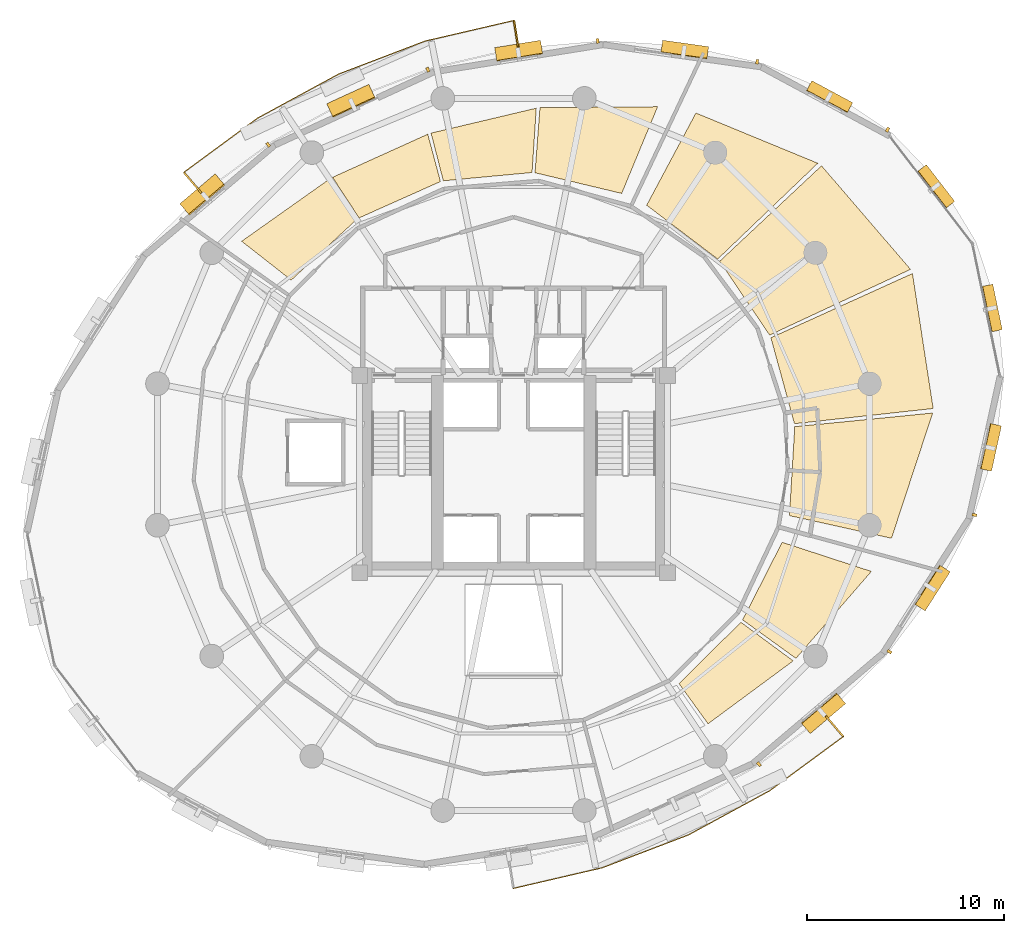
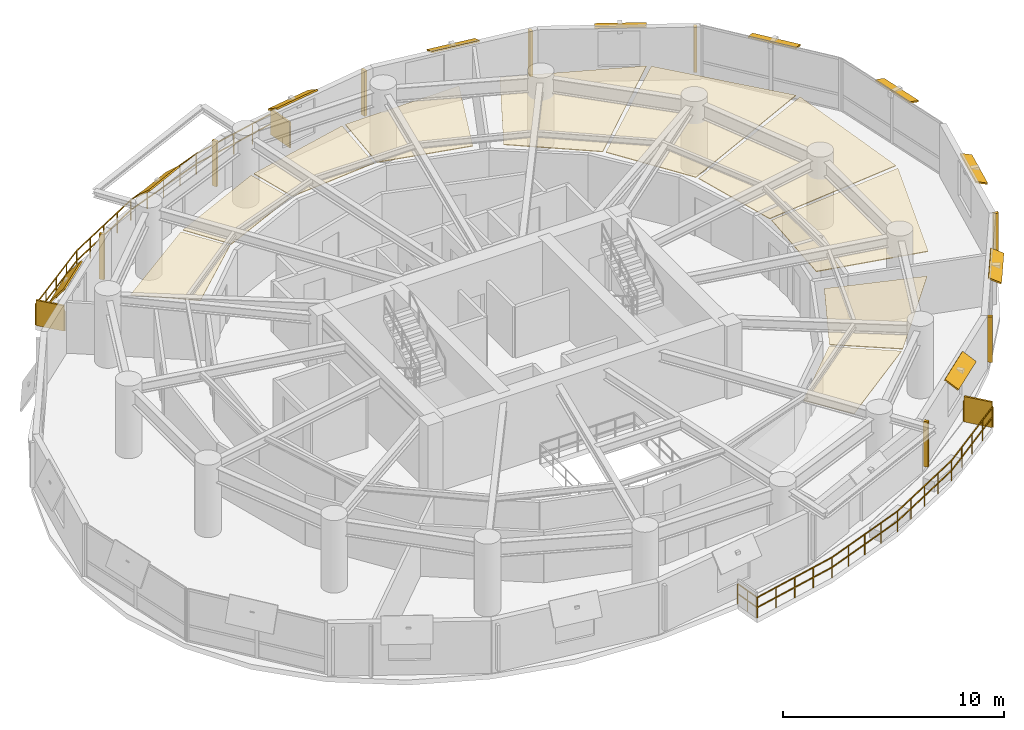
# One storey, part 14 of 14: 21 shading devices, 10 coverings, 2 railings.
"""IFC4 building model written with IfcOpenShell, lengths in metres."""

from ifc_helpers import new_model, si_unit, direction, frame, origin, origin_2d, place, context, subcontext, project, spatial, polyline, rectangle, outline, extrude, material, layer, layer_set, type_object, element, save


model = new_model("IFC4")

# Units and contexts
model_context = context("Model", 3, precision=1e-05, world=origin(), true_north=direction((0.0, 1.0)))
body_context = subcontext(model_context, "Body", "Model", "MODEL_VIEW")
ifc_project = project(units=[si_unit("LENGTHUNIT", "METRE"), si_unit("AREAUNIT", "SQUARE_METRE"), si_unit("VOLUMEUNIT", "CUBIC_METRE"), si_unit("PLANEANGLEUNIT", "RADIAN"), si_unit("MASSUNIT", "GRAM", prefix="KILO"), si_unit("THERMODYNAMICTEMPERATUREUNIT", "KELVIN"), si_unit("POWERUNIT", "WATT")], contexts=[model_context])

# Site, building, storey
site_placement = place(None, origin())
site = spatial("IfcSite", under=ifc_project, at=site_placement, CompositionType="ELEMENT")
building_placement = place(site_placement, origin())
building = spatial("IfcBuilding", under=site, at=building_placement, Name="Ocrelia Relay Tower", CompositionType="ELEMENT")
storey_placement = place(building_placement, frame((0.0, 0.0, 137.800048828125)))
storey = spatial("IfcBuildingStorey", under=building, at=storey_placement, Name="L32", CompositionType="ELEMENT", Elevation=137.800048828125)

# Coverings
ifc_material_1 = material(Name="Mineral-fiber acoustic ceiling tile", Category="gypsum")
ifc_layer_1 = layer(ifc_material_1, 0.0400390625, Name="Mineral-fiber acoustic ceiling tile")
ifc_layer_set_1 = layer_set([ifc_layer_1], Name="Mineral-fiber acoustic ceiling tile")
covering_type_1 = type_object("IfcCoveringType", Name="COV-CEIL-ACOUSTIC", PredefinedType="CEILING", material=ifc_layer_set_1)
covering_1_placement = place(storey_placement, frame((0.0, 0.0, 2.719970703125)))
element("IfcCovering", 1, at=covering_1_placement, inside=storey, type_object=covering_type_1, Name="L32 Shift Staff Lounge Suspended Ceiling 1", PredefinedType="CEILING", context=body_context, shape_type="SweptSolid", body=[
    extrude(outline(polyline([(47.980712890625, 22.900634765625), (53.15380859375, 21.753662109375), (55.2412109375, 28.101318359375), (48.25048828125, 27.409912109375), (47.980712890625, 22.900634765625)])), origin(), (0.0, 0.0, 1.0), 0.0400390625),
])
covering_2_placement = place(storey_placement, frame((0.0, 0.0, 2.719970703125)))
element("IfcCovering", 2, at=covering_2_placement, inside=storey, type_object=covering_type_1, Name="L32 Shift Staff Lounge Suspended Ceiling 2", PredefinedType="CEILING", context=body_context, shape_type="SweptSolid", body=[
    extrude(outline(polyline([(48.23486328125, 27.55908203125), (55.26611328125, 28.3291015625), (54.217041015625, 35.1708984375), (47.041015625, 31.915771484375), (48.23486328125, 27.55908203125)])), origin(), (0.0, 0.0, 1.0), 0.0400390625),
])
covering_3_placement = place(storey_placement, frame((0.0, 0.0, 2.719970703125)))
element("IfcCovering", 3, at=covering_3_placement, inside=storey, type_object=covering_type_1, Name="L32 Shift Staff Lounge Suspended Ceiling 3", PredefinedType="CEILING", context=body_context, shape_type="SweptSolid", body=[
    extrude(outline(polyline([(46.978271484375, 32.052001953125), (54.119873046875, 35.382080078125), (49.60791015625, 40.631103515625), (44.447509765625, 35.793701171875), (46.978271484375, 32.052001953125)])), origin(), (0.0, 0.0, 1.0), 0.0400390625),
])
covering_4_placement = place(storey_placement, frame((0.0, 0.0, 2.719970703125)))
element("IfcCovering", 4, at=covering_4_placement, inside=storey, type_object=covering_type_1, Name="L32 Shift Staff Lounge Suspended Ceiling 4", PredefinedType="CEILING", context=body_context, shape_type="SweptSolid", body=[
    extrude(outline(polyline([(44.34423828125, 35.902587890625), (49.418701171875, 40.76025390625), (43.24072265625, 43.306396484375), (40.744873046875, 38.632080078125), (44.34423828125, 35.902587890625)])), origin(), (0.0, 0.0, 1.0), 0.0400390625),
])
ifc_material_2 = material(Name="Cleanroom metal-pan acoustic ceiling", Category="aluminium")
ifc_layer_2 = layer(ifc_material_2, 0.0400390625, Name="Cleanroom metal-pan acoustic ceiling")
ifc_layer_set_2 = layer_set([ifc_layer_2], Name="Cleanroom metal-pan acoustic ceiling")
covering_type_2 = type_object("IfcCoveringType", Name="COV-CEIL-CLEAN", PredefinedType="CEILING", material=ifc_layer_set_2)
covering_5_placement = place(storey_placement, frame((0.0, 0.0, 2.719970703125)))
element("IfcCovering", 5, at=covering_5_placement, inside=storey, type_object=covering_type_2, Name="L32 Optical Switching Hall A Suspended Ceiling 1", PredefinedType="CEILING", context=body_context, shape_type="SweptSolid", body=[
    extrude(outline(polyline([(39.47998046875, 39.22998046875), (41.300537109375, 43.625244140625), (35.3369140625, 43.57568359375), (35.086181640625, 40.27880859375), (39.47998046875, 39.22998046875)])), origin(), (0.0, 0.0, 1.0), 0.0400390625),
])
covering_6_placement = place(storey_placement, frame((0.0, 0.0, 2.719970703125)))
element("IfcCovering", 6, at=covering_6_placement, inside=storey, type_object=covering_type_2, Name="L32 Optical Switching Hall A Suspended Ceiling 2", PredefinedType="CEILING", context=body_context, shape_type="SweptSolid", body=[
    extrude(outline(polyline([(34.9365234375, 40.289306640625), (35.150390625, 43.55126953125), (29.81787109375, 42.288818359375), (30.438720703125, 39.8701171875), (34.9365234375, 40.289306640625)])), origin(), (0.0, 0.0, 1.0), 0.0400390625),
])
covering_7_placement = place(storey_placement, frame((0.0, 0.0, 2.719970703125)))
element("IfcCovering", 7, at=covering_7_placement, inside=storey, type_object=covering_type_2, Name="L32 Optical Switching Hall A Suspended Ceiling 3", PredefinedType="CEILING", context=body_context, shape_type="SweptSolid", body=[
    extrude(outline(polyline([(30.293701171875, 39.83203125), (29.65087890625, 42.231201171875), (24.82470703125, 40.0478515625), (26.16943359375, 37.9892578125), (30.293701171875, 39.83203125)])), origin(), (0.0, 0.0, 1.0), 0.0400390625),
])
covering_8_placement = place(storey_placement, frame((0.0, 0.0, 2.719970703125)))
element("IfcCovering", 8, at=covering_8_placement, inside=storey, type_object=covering_type_2, Name="L32 Optical Switching Hall A Suspended Ceiling 4", PredefinedType="CEILING", context=body_context, shape_type="SweptSolid", body=[
    extrude(outline(polyline([(26.044189453125, 37.906494140625), (24.671630859375, 39.960693359375), (20.21826171875, 36.80615234375), (22.731201171875, 34.8359375), (26.044189453125, 37.906494140625)])), origin(), (0.0, 0.0, 1.0), 0.0400390625),
])
covering_9_placement = place(storey_placement, frame((0.0, 0.0, 2.719970703125)))
element("IfcCovering", 9, at=covering_9_placement, inside=storey, type_object=covering_type_2, Name="L32 Optical Systems Laboratory Suspended Ceiling 2", PredefinedType="CEILING", context=body_context, shape_type="SweptSolid", body=[
    extrude(outline(polyline([(42.38330078125, 14.390380859375), (43.856689453125, 12.35009765625), (48.172119140625, 15.538818359375), (45.52099609375, 17.49560546875), (42.38330078125, 14.390380859375)])), origin(), (0.0, 0.0, 1.0), 0.0400390625),
])
covering_10_placement = place(storey_placement, frame((0.0, 0.0, 2.719970703125)))
element("IfcCovering", 10, at=covering_10_placement, inside=storey, type_object=covering_type_2, Name="L32 Optical Systems Laboratory Suspended Ceiling 3", PredefinedType="CEILING", context=body_context, shape_type="SweptSolid", body=[
    extrude(outline(polyline([(45.609619140625, 17.61669921875), (48.3115234375, 15.66552734375), (52.13330078125, 20.072998046875), (47.611328125, 21.551025390625), (45.609619140625, 17.61669921875)])), origin(), (0.0, 0.0, 1.0), 0.0400390625),
])

# Railings
ifc_material_3 = material(Name="Steel S355 balustrade", Category="steel")
railing_type = type_object("IfcRailingType", Name="RL-EXT-GUARD-1150", PredefinedType="GUARDRAIL", material=ifc_material_3)
railing_1_placement = place(storey_placement, frame((18.18896484375, 39.2392578125, 0.0)))
element("IfcRailing", 11, at=railing_1_placement, inside=storey, type_object=railing_type, Name="L32 Loggia Balcony Guard Rail B1", PredefinedType="GUARDRAIL", context=body_context, shape_type="SweptSolid", body=[
    extrude(rectangle(XDim=0.048095703125, YDim=0.048095703125, at=origin_2d()), frame((0.0, 0.0, 1.1259765625), z_axis=(-0.647582300049, 0.761995514858, 0.0), x_axis=(-0.761995514858, -0.647582300049, 0.0)), (0.0, 0.0, 1.0), 1.393310546875),
    extrude(rectangle(XDim=0.048095703125, YDim=0.048095703125, at=origin_2d()), frame((0.0, 0.0, 0.574951171875), z_axis=(-0.647582300049, 0.761995514858, 0.0), x_axis=(-0.761995514858, -0.647582300049, 0.0)), (0.0, 0.0, 1.0), 1.393310546875),
    extrude(rectangle(XDim=0.048095703125, YDim=0.048095703125, at=origin_2d()), frame((-0.90234375, 1.061767578125, 1.1259765625), z_axis=(0.80569392269, 0.592332088394, 0.0), x_axis=(-0.592332088394, 0.80569392269, 0.0)), (0.0, 0.0, 1.0), 2.31591796875),
    extrude(rectangle(XDim=0.048095703125, YDim=0.048095703125, at=origin_2d()), frame((-0.90234375, 1.061767578125, 0.574951171875), z_axis=(0.80569392269, 0.592332088394, 0.0), x_axis=(-0.592332088394, 0.80569392269, 0.0)), (0.0, 0.0, 1.0), 2.31591796875),
    extrude(rectangle(XDim=0.048095703125, YDim=0.048095703125, at=origin_2d()), frame((0.963623046875, 2.43359375, 1.1259765625), z_axis=(0.805707247026, 0.592313964118, 0.0), x_axis=(-0.592313964118, 0.805707247026, 0.0)), (0.0, 0.0, 1.0), 2.315673828125),
    extrude(rectangle(XDim=0.048095703125, YDim=0.048095703125, at=origin_2d()), frame((0.963623046875, 2.43359375, 0.574951171875), z_axis=(0.805707247026, 0.592313964118, 0.0), x_axis=(-0.592313964118, 0.805707247026, 0.0)), (0.0, 0.0, 1.0), 2.315673828125),
    extrude(rectangle(XDim=0.048095703125, YDim=0.048095703125, at=origin_2d()), frame((2.829345703125, 3.80517578125, 1.1259765625), z_axis=(0.878482750557, 0.477774064777, 0.0), x_axis=(-0.477774064777, 0.878482750557, 0.0)), (0.0, 0.0, 1.0), 4.682373046875),
    extrude(rectangle(XDim=0.048095703125, YDim=0.048095703125, at=origin_2d()), frame((2.829345703125, 3.80517578125, 0.574951171875), z_axis=(0.878482750557, 0.477774064777, 0.0), x_axis=(-0.477774064777, 0.878482750557, 0.0)), (0.0, 0.0, 1.0), 4.682373046875),
    extrude(rectangle(XDim=0.048095703125, YDim=0.048095703125, at=origin_2d()), frame((6.942626953125, 6.042236328125, 1.1259765625), z_axis=(0.934471213076, 0.35603869443, 0.0), x_axis=(-0.35603869443, 0.934471213076, 0.0)), (0.0, 0.0, 1.0), 4.68212890625),
    extrude(rectangle(XDim=0.048095703125, YDim=0.048095703125, at=origin_2d()), frame((6.942626953125, 6.042236328125, 0.574951171875), z_axis=(0.934471213076, 0.35603869443, 0.0), x_axis=(-0.35603869443, 0.934471213076, 0.0)), (0.0, 0.0, 1.0), 4.68212890625),
    extrude(rectangle(XDim=0.048095703125, YDim=0.048095703125, at=origin_2d()), frame((11.31787109375, 7.709228515625, 1.1259765625), z_axis=(0.974045338098, 0.226352997175, 0.0), x_axis=(-0.226352997175, 0.974045338098, 0.0)), (0.0, 0.0, 1.0), 2.315673828125),
    extrude(rectangle(XDim=0.048095703125, YDim=0.048095703125, at=origin_2d()), frame((11.31787109375, 7.709228515625, 0.574951171875), z_axis=(0.974045338098, 0.226352997175, 0.0), x_axis=(-0.226352997175, 0.974045338098, 0.0)), (0.0, 0.0, 1.0), 2.315673828125),
    extrude(rectangle(XDim=0.048095703125, YDim=0.048095703125, at=origin_2d()), frame((13.573486328125, 8.2333984375, 1.1259765625), z_axis=(0.974073974163, 0.226229734692, 0.0), x_axis=(-0.226229734692, 0.974073974163, 0.0)), (0.0, 0.0, 1.0), 2.31591796875),
    extrude(rectangle(XDim=0.048095703125, YDim=0.048095703125, at=origin_2d()), frame((13.573486328125, 8.2333984375, 0.574951171875), z_axis=(0.974073974163, 0.226229734692, 0.0), x_axis=(-0.226229734692, 0.974073974163, 0.0)), (0.0, 0.0, 1.0), 2.31591796875),
    extrude(rectangle(XDim=0.048095703125, YDim=0.048095703125, at=origin_2d()), frame((15.829345703125, 8.75732421875, 1.1259765625), z_axis=(0.15717719386, -0.987570417606, 0.0), x_axis=(0.987570417606, 0.15717719386, 0.0)), (0.0, 0.0, 1.0), 1.393310546875),
    extrude(rectangle(XDim=0.048095703125, YDim=0.048095703125, at=origin_2d()), frame((15.829345703125, 8.75732421875, 0.574951171875), z_axis=(0.15717719386, -0.987570417606, 0.0), x_axis=(0.987570417606, 0.15717719386, 0.0)), (0.0, 0.0, 1.0), 1.393310546875),
    extrude(rectangle(XDim=0.0419921875, YDim=0.0419921875, at=origin_2d()), origin(), (0.0, 0.0, 1.0), 1.101806640625),
    extrude(rectangle(XDim=0.0419921875, YDim=0.0419921875, at=origin_2d()), frame((-0.451171875, 0.53076171875, 0.0)), (0.0, 0.0, 1.0), 1.101806640625),
    extrude(rectangle(XDim=0.0419921875, YDim=0.0419921875, at=origin_2d()), frame((-0.90234375, 1.061767578125, 0.0)), (0.0, 0.0, 1.0), 1.101806640625),
    extrude(rectangle(XDim=0.0419921875, YDim=0.0419921875, at=origin_2d()), frame((0.03076171875, 1.74755859375, 0.0)), (0.0, 0.0, 1.0), 1.101806640625),
    extrude(rectangle(XDim=0.0419921875, YDim=0.0419921875, at=origin_2d()), frame((0.963623046875, 2.43359375, 0.0)), (0.0, 0.0, 1.0), 1.101806640625),
    extrude(rectangle(XDim=0.0419921875, YDim=0.0419921875, at=origin_2d()), frame((1.896484375, 3.119384765625, 0.0)), (0.0, 0.0, 1.0), 1.101806640625),
    extrude(rectangle(XDim=0.0419921875, YDim=0.0419921875, at=origin_2d()), frame((2.829345703125, 3.80517578125, 0.0)), (0.0, 0.0, 1.0), 1.101806640625),
    extrude(rectangle(XDim=0.0419921875, YDim=0.0419921875, at=origin_2d()), frame((3.857666015625, 4.364501953125, 0.0)), (0.0, 0.0, 1.0), 1.101806640625),
    extrude(rectangle(XDim=0.0419921875, YDim=0.0419921875, at=origin_2d()), frame((4.885986328125, 4.923828125, 0.0)), (0.0, 0.0, 1.0), 1.101806640625),
    extrude(rectangle(XDim=0.0419921875, YDim=0.0419921875, at=origin_2d()), frame((5.914306640625, 5.48291015625, 0.0)), (0.0, 0.0, 1.0), 1.101806640625),
    extrude(rectangle(XDim=0.0419921875, YDim=0.0419921875, at=origin_2d()), frame((6.942626953125, 6.042236328125, 0.0)), (0.0, 0.0, 1.0), 1.101806640625),
    extrude(rectangle(XDim=0.0419921875, YDim=0.0419921875, at=origin_2d()), frame((8.036376953125, 6.458984375, 0.0)), (0.0, 0.0, 1.0), 1.101806640625),
    extrude(rectangle(XDim=0.0419921875, YDim=0.0419921875, at=origin_2d()), frame((9.13037109375, 6.875732421875, 0.0)), (0.0, 0.0, 1.0), 1.101806640625),
    extrude(rectangle(XDim=0.0419921875, YDim=0.0419921875, at=origin_2d()), frame((10.22412109375, 7.29248046875, 0.0)), (0.0, 0.0, 1.0), 1.101806640625),
    extrude(rectangle(XDim=0.0419921875, YDim=0.0419921875, at=origin_2d()), frame((11.31787109375, 7.709228515625, 0.0)), (0.0, 0.0, 1.0), 1.101806640625),
    extrude(rectangle(XDim=0.0419921875, YDim=0.0419921875, at=origin_2d()), frame((12.44580078125, 7.97119140625, 0.0)), (0.0, 0.0, 1.0), 1.101806640625),
    extrude(rectangle(XDim=0.0419921875, YDim=0.0419921875, at=origin_2d()), frame((13.573486328125, 8.2333984375, 0.0)), (0.0, 0.0, 1.0), 1.101806640625),
    extrude(rectangle(XDim=0.0419921875, YDim=0.0419921875, at=origin_2d()), frame((14.701416015625, 8.495361328125, 0.0)), (0.0, 0.0, 1.0), 1.101806640625),
    extrude(rectangle(XDim=0.0419921875, YDim=0.0419921875, at=origin_2d()), frame((15.829345703125, 8.75732421875, 0.0)), (0.0, 0.0, 1.0), 1.101806640625),
    extrude(rectangle(XDim=0.0419921875, YDim=0.0419921875, at=origin_2d()), frame((15.93896484375, 8.0693359375, 0.0)), (0.0, 0.0, 1.0), 1.101806640625),
    extrude(rectangle(XDim=0.0419921875, YDim=0.0419921875, at=origin_2d()), frame((16.04833984375, 7.38134765625, 0.0)), (0.0, 0.0, 1.0), 1.101806640625),
])
railing_2_placement = place(storey_placement, frame((49.81103515625, 12.7607421875, 0.0)))
element("IfcRailing", 12, at=railing_2_placement, inside=storey, type_object=railing_type, Name="L32 Loggia Balcony Guard Rail B2", PredefinedType="GUARDRAIL", context=body_context, shape_type="SweptSolid", body=[
    extrude(rectangle(XDim=0.048095703125, YDim=0.048095703125, at=origin_2d()), frame((0.0, 0.0, 1.1259765625), z_axis=(0.647582300049, -0.761995514858, 0.0), x_axis=(0.761995514858, 0.647582300049, 0.0)), (0.0, 0.0, 1.0), 1.393310546875),
    extrude(rectangle(XDim=0.048095703125, YDim=0.048095703125, at=origin_2d()), frame((0.0, 0.0, 0.574951171875), z_axis=(0.647582300049, -0.761995514858, 0.0), x_axis=(0.761995514858, 0.647582300049, 0.0)), (0.0, 0.0, 1.0), 1.393310546875),
    extrude(rectangle(XDim=0.048095703125, YDim=0.048095703125, at=origin_2d()), frame((0.90234375, -1.061767578125, 1.1259765625), z_axis=(-0.80569392269, -0.592332088394, 0.0), x_axis=(0.592332088394, -0.80569392269, 0.0)), (0.0, 0.0, 1.0), 2.31591796875),
    extrude(rectangle(XDim=0.048095703125, YDim=0.048095703125, at=origin_2d()), frame((0.90234375, -1.061767578125, 0.574951171875), z_axis=(-0.80569392269, -0.592332088394, 0.0), x_axis=(0.592332088394, -0.80569392269, 0.0)), (0.0, 0.0, 1.0), 2.31591796875),
    extrude(rectangle(XDim=0.048095703125, YDim=0.048095703125, at=origin_2d()), frame((-0.963623046875, -2.43359375, 1.1259765625), z_axis=(-0.805707247026, -0.592313964118, 0.0), x_axis=(0.592313964118, -0.805707247026, 0.0)), (0.0, 0.0, 1.0), 2.315673828125),
    extrude(rectangle(XDim=0.048095703125, YDim=0.048095703125, at=origin_2d()), frame((-0.963623046875, -2.43359375, 0.574951171875), z_axis=(-0.805707247026, -0.592313964118, 0.0), x_axis=(0.592313964118, -0.805707247026, 0.0)), (0.0, 0.0, 1.0), 2.315673828125),
    extrude(rectangle(XDim=0.048095703125, YDim=0.048095703125, at=origin_2d()), frame((-2.829345703125, -3.80517578125, 1.1259765625), z_axis=(-0.878482750557, -0.477774064777, 0.0), x_axis=(0.477774064777, -0.878482750557, 0.0)), (0.0, 0.0, 1.0), 4.682373046875),
    extrude(rectangle(XDim=0.048095703125, YDim=0.048095703125, at=origin_2d()), frame((-2.829345703125, -3.80517578125, 0.574951171875), z_axis=(-0.878482750557, -0.477774064777, 0.0), x_axis=(0.477774064777, -0.878482750557, 0.0)), (0.0, 0.0, 1.0), 4.682373046875),
    extrude(rectangle(XDim=0.048095703125, YDim=0.048095703125, at=origin_2d()), frame((-6.942626953125, -6.042236328125, 1.1259765625), z_axis=(-0.934471213076, -0.35603869443, 0.0), x_axis=(0.35603869443, -0.934471213076, 0.0)), (0.0, 0.0, 1.0), 4.68212890625),
    extrude(rectangle(XDim=0.048095703125, YDim=0.048095703125, at=origin_2d()), frame((-6.942626953125, -6.042236328125, 0.574951171875), z_axis=(-0.934471213076, -0.35603869443, 0.0), x_axis=(0.35603869443, -0.934471213076, 0.0)), (0.0, 0.0, 1.0), 4.68212890625),
    extrude(rectangle(XDim=0.048095703125, YDim=0.048095703125, at=origin_2d()), frame((-11.31787109375, -7.709228515625, 1.1259765625), z_axis=(-0.974045338098, -0.226352997175, 0.0), x_axis=(0.226352997175, -0.974045338098, 0.0)), (0.0, 0.0, 1.0), 2.315673828125),
    extrude(rectangle(XDim=0.048095703125, YDim=0.048095703125, at=origin_2d()), frame((-11.31787109375, -7.709228515625, 0.574951171875), z_axis=(-0.974045338098, -0.226352997175, 0.0), x_axis=(0.226352997175, -0.974045338098, 0.0)), (0.0, 0.0, 1.0), 2.315673828125),
    extrude(rectangle(XDim=0.048095703125, YDim=0.048095703125, at=origin_2d()), frame((-13.573486328125, -8.2333984375, 1.1259765625), z_axis=(-0.974073974163, -0.226229734692, 0.0), x_axis=(0.226229734692, -0.974073974163, 0.0)), (0.0, 0.0, 1.0), 2.31591796875),
    extrude(rectangle(XDim=0.048095703125, YDim=0.048095703125, at=origin_2d()), frame((-13.573486328125, -8.2333984375, 0.574951171875), z_axis=(-0.974073974163, -0.226229734692, 0.0), x_axis=(0.226229734692, -0.974073974163, 0.0)), (0.0, 0.0, 1.0), 2.31591796875),
    extrude(rectangle(XDim=0.048095703125, YDim=0.048095703125, at=origin_2d()), frame((-15.829345703125, -8.75732421875, 1.1259765625), z_axis=(-0.15717719386, 0.987570417606, 0.0), x_axis=(-0.987570417606, -0.15717719386, 0.0)), (0.0, 0.0, 1.0), 1.393310546875),
    extrude(rectangle(XDim=0.048095703125, YDim=0.048095703125, at=origin_2d()), frame((-15.829345703125, -8.75732421875, 0.574951171875), z_axis=(-0.15717719386, 0.987570417606, 0.0), x_axis=(-0.987570417606, -0.15717719386, 0.0)), (0.0, 0.0, 1.0), 1.393310546875),
    extrude(rectangle(XDim=0.0419921875, YDim=0.0419921875, at=origin_2d()), origin(), (0.0, 0.0, 1.0), 1.101806640625),
    extrude(rectangle(XDim=0.0419921875, YDim=0.0419921875, at=origin_2d()), frame((0.451171875, -0.53076171875, 0.0)), (0.0, 0.0, 1.0), 1.101806640625),
    extrude(rectangle(XDim=0.0419921875, YDim=0.0419921875, at=origin_2d()), frame((0.90234375, -1.061767578125, 0.0)), (0.0, 0.0, 1.0), 1.101806640625),
    extrude(rectangle(XDim=0.0419921875, YDim=0.0419921875, at=origin_2d()), frame((-0.03076171875, -1.74755859375, 0.0)), (0.0, 0.0, 1.0), 1.101806640625),
    extrude(rectangle(XDim=0.0419921875, YDim=0.0419921875, at=origin_2d()), frame((-0.963623046875, -2.43359375, 0.0)), (0.0, 0.0, 1.0), 1.101806640625),
    extrude(rectangle(XDim=0.0419921875, YDim=0.0419921875, at=origin_2d()), frame((-1.896484375, -3.119384765625, 0.0)), (0.0, 0.0, 1.0), 1.101806640625),
    extrude(rectangle(XDim=0.0419921875, YDim=0.0419921875, at=origin_2d()), frame((-2.829345703125, -3.80517578125, 0.0)), (0.0, 0.0, 1.0), 1.101806640625),
    extrude(rectangle(XDim=0.0419921875, YDim=0.0419921875, at=origin_2d()), frame((-3.857666015625, -4.364501953125, 0.0)), (0.0, 0.0, 1.0), 1.101806640625),
    extrude(rectangle(XDim=0.0419921875, YDim=0.0419921875, at=origin_2d()), frame((-4.885986328125, -4.923828125, 0.0)), (0.0, 0.0, 1.0), 1.101806640625),
    extrude(rectangle(XDim=0.0419921875, YDim=0.0419921875, at=origin_2d()), frame((-5.914306640625, -5.48291015625, 0.0)), (0.0, 0.0, 1.0), 1.101806640625),
    extrude(rectangle(XDim=0.0419921875, YDim=0.0419921875, at=origin_2d()), frame((-6.942626953125, -6.042236328125, 0.0)), (0.0, 0.0, 1.0), 1.101806640625),
    extrude(rectangle(XDim=0.0419921875, YDim=0.0419921875, at=origin_2d()), frame((-8.036376953125, -6.458984375, 0.0)), (0.0, 0.0, 1.0), 1.101806640625),
    extrude(rectangle(XDim=0.0419921875, YDim=0.0419921875, at=origin_2d()), frame((-9.13037109375, -6.875732421875, 0.0)), (0.0, 0.0, 1.0), 1.101806640625),
    extrude(rectangle(XDim=0.0419921875, YDim=0.0419921875, at=origin_2d()), frame((-10.22412109375, -7.29248046875, 0.0)), (0.0, 0.0, 1.0), 1.101806640625),
    extrude(rectangle(XDim=0.0419921875, YDim=0.0419921875, at=origin_2d()), frame((-11.31787109375, -7.709228515625, 0.0)), (0.0, 0.0, 1.0), 1.101806640625),
    extrude(rectangle(XDim=0.0419921875, YDim=0.0419921875, at=origin_2d()), frame((-12.44580078125, -7.97119140625, 0.0)), (0.0, 0.0, 1.0), 1.101806640625),
    extrude(rectangle(XDim=0.0419921875, YDim=0.0419921875, at=origin_2d()), frame((-13.573486328125, -8.2333984375, 0.0)), (0.0, 0.0, 1.0), 1.101806640625),
    extrude(rectangle(XDim=0.0419921875, YDim=0.0419921875, at=origin_2d()), frame((-14.701416015625, -8.495361328125, 0.0)), (0.0, 0.0, 1.0), 1.101806640625),
    extrude(rectangle(XDim=0.0419921875, YDim=0.0419921875, at=origin_2d()), frame((-15.829345703125, -8.75732421875, 0.0)), (0.0, 0.0, 1.0), 1.101806640625),
    extrude(rectangle(XDim=0.0419921875, YDim=0.0419921875, at=origin_2d()), frame((-15.93896484375, -8.0693359375, 0.0)), (0.0, 0.0, 1.0), 1.101806640625),
    extrude(rectangle(XDim=0.0419921875, YDim=0.0419921875, at=origin_2d()), frame((-16.04833984375, -7.38134765625, 0.0)), (0.0, 0.0, 1.0), 1.101806640625),
])

# Shading devices
ifc_material_4 = material(Name="Perforated oxide terracotta solar screen", Category="masonry")
ifc_layer_3 = layer(ifc_material_4, 0.090087890625, Name="Perforated oxide terracotta solar screen")
ifc_layer_set_3 = layer_set([ifc_layer_3], Name="Perforated oxide terracotta solar screen")
shading_device_type_1 = type_object("IfcShadingDeviceType", Name="SH-BALC-SCREEN", PredefinedType="USERDEFINED", material=ifc_layer_set_3)
for number, where, z_axis, x_axis, name in (
    (13, (34.127685546875, 47.30859375, 0.0), (0.0, 0.0, 1.0), (-0.157237536424, 0.987560811869, 0.0), "L32 Balcony Perforated Terracotta Screen B1-1"),
    (14, (17.73779296875, 39.770263671875, 0.0), (0.0, 0.0, 1.0), (-0.647517174885, 0.76205085672, 0.0), "L32 Balcony Perforated Terracotta Screen B1-2"),
    (15, (50.26220703125, 12.229736328125, 0.0), (0.0, 0.0, 1.0), (0.647517174885, -0.76205085672, 0.0), "L32 Balcony Perforated Terracotta Screen B2-2"),
):
    element("IfcShadingDevice", number, at=place(storey_placement, frame(where, z_axis=z_axis, x_axis=x_axis)), inside=storey, type_object=shading_device_type_1, Name=name, ObjectType="SCREEN", PredefinedType="USERDEFINED", context=body_context, shape_type="SweptSolid", body=[
        extrude(rectangle(XDim=1.340087890625, YDim=0.090087890625, at=origin_2d()), origin(), (0.0, 0.0, 1.0), 1.39990234375),
    ])
ifc_material_5 = material(Name="Extruded oxide terracotta vertical baguette", Category="masonry")
shading_device_type_2 = type_object("IfcShadingDeviceType", Name="SH-TERR-BAGUETTE", PredefinedType="USERDEFINED", material=ifc_material_5)
for number, where, z_axis, x_axis, name in (
    (16, (52.95166015625, 42.458740234375, 0.199951171875), (0.0, 0.0, 1.0), (-0.880639352003, 0.473787221972, 0.0), "L32 Oxide Terracotta Vertical Baguette 02"),
    (17, (46.346435546875, 45.90185546875, 0.199951171875), (0.0, 0.0, 1.0), (-0.990223333079, 0.139491041381, 0.0), "L32 Oxide Terracotta Vertical Baguette 03"),
    (18, (38.262451171875, 46.958740234375, 0.199951171875), (0.0, 0.0, 1.0), (-0.987334209575, -0.158654210793, 0.0), "L32 Oxide Terracotta Vertical Baguette 04"),
    (19, (29.65869140625, 45.50244140625, 0.199951171875), (0.0, 0.0, 1.0), (-0.908510009821, -0.417863090084, 0.0), "L32 Oxide Terracotta Vertical Baguette 05"),
    (20, (21.563720703125, 41.698974609375, 0.199951171875), (0.0, 0.0, 1.0), (-0.762990342849, -0.646409882907, 0.0), "L32 Oxide Terracotta Vertical Baguette 06"),
    (21, (46.436279296875, 10.301025390625, 0.199951171875), (0.0, 0.0, 1.0), (0.762990342849, 0.646409882907, 0.0), "L32 Oxide Terracotta Vertical Baguette 15"),
    (22, (53.044921875, 16.006103515625, 0.199951171875), (0.0, 0.0, 1.0), (0.538509892269, 0.842619187966, 0.0), "L32 Oxide Terracotta Vertical Baguette 16"),
    (23, (57.35693359375, 22.93408203125, 0.199951171875), (0.0, 0.0, 1.0), (0.213359589922, 0.976973738331, 0.0), "L32 Oxide Terracotta Vertical Baguette 17"),
):
    element("IfcShadingDevice", number, at=place(storey_placement, frame(where, z_axis=z_axis, x_axis=x_axis)), inside=storey, type_object=shading_device_type_2, Name=name, ObjectType="BAGUETTE", PredefinedType="USERDEFINED", context=body_context, shape_type="SweptSolid", body=[
        extrude(rectangle(XDim=0.139892578125, YDim=0.239990234375, at=origin_2d()), origin(), (0.0, 0.0, 1.0), 2.5),
    ])
ifc_material_6 = material(Name="Extruded oxide terracotta fin", Category="masonry")
ifc_layer_4 = layer(ifc_material_6, 0.080078125, Name="Extruded oxide terracotta fin")
ifc_layer_set_4 = layer_set([ifc_layer_4], Name="Extruded oxide terracotta fin")
shading_device_type_3 = type_object("IfcShadingDeviceType", Name="SH-VISOR-FIN-MED", PredefinedType="USERDEFINED", material=ifc_layer_set_4)
shading_device_1_placement = place(storey_placement, frame((25.767822265625, 43.898681640625, 2.710205078125), z_axis=(-0.278899687182, 0.606378413298, 0.744661120495), x_axis=(-0.908510009821, -0.417863090084, 0.0)))
element("IfcShadingDevice", 24, at=shading_device_1_placement, inside=storey, type_object=shading_device_type_3, Name="L32 Canted Terracotta Sun-Visor Fin 05", ObjectType="FIN", PredefinedType="USERDEFINED", context=body_context, shape_type="SweptSolid", body=[
    extrude(rectangle(XDim=2.35009765625, YDim=0.947998046875, at=origin_2d()), origin(), (0.0, 0.0, 1.0), 0.080078125),
])
shading_device_2_placement = place(storey_placement, frame((18.243896484375, 39.155029296875, 2.71533203125), z_axis=(-0.510694853193, 0.602799015659, 0.613044952383), x_axis=(-0.762990342849, -0.646409882907, 0.0)))
element("IfcShadingDevice", 25, at=shading_device_2_placement, inside=storey, type_object=shading_device_type_3, Name="L32 Canted Terracotta Sun-Visor Fin 06", ObjectType="FIN", PredefinedType="USERDEFINED", context=body_context, shape_type="SweptSolid", body=[
    extrude(rectangle(XDim=2.35009765625, YDim=1.1201171875, at=origin_2d()), origin(), (0.0, 0.0, 1.0), 0.080078125),
])
shading_device_3_placement = place(storey_placement, frame((49.68994140625, 12.89794921875, 2.7060546875), z_axis=(0.340725313606, -0.402175354554, 0.849800708906), x_axis=(0.762990342849, 0.646409882907, 0.0)))
element("IfcShadingDevice", 26, at=shading_device_3_placement, inside=storey, type_object=shading_device_type_3, Name="L32 Canted Terracotta Sun-Visor Fin 15", ObjectType="FIN", PredefinedType="USERDEFINED", context=body_context, shape_type="SweptSolid", body=[
    extrude(rectangle(XDim=2.35009765625, YDim=0.780029296875, at=origin_2d()), origin(), (0.0, 0.0, 1.0), 0.080078125),
])
ifc_layer_5 = layer(ifc_material_6, 0.080078125, Name="Extruded oxide terracotta fin")
ifc_layer_set_5 = layer_set([ifc_layer_5], Name="Extruded oxide terracotta fin")
shading_device_type_4 = type_object("IfcShadingDeviceType", Name="SH-VISOR-FIN-SHAL", PredefinedType="USERDEFINED", material=ifc_layer_set_5)
shading_device_4_placement = place(storey_placement, frame((55.411865234375, 39.5810546875, 2.701904296875), z_axis=(0.247228891265, 0.19086900389, 0.949972051525), x_axis=(-0.611103634519, 0.791550597168, 0.0)))
element("IfcShadingDevice", 27, at=shading_device_4_placement, inside=storey, type_object=shading_device_type_4, Name="L32 Canted Terracotta Sun-Visor Fin 01", ObjectType="FIN", PredefinedType="USERDEFINED", context=body_context, shape_type="SweptSolid", body=[
    extrude(rectangle(XDim=2.35009765625, YDim=0.552978515625, at=origin_2d()), origin(), (0.0, 0.0, 1.0), 0.080078125),
])
shading_device_5_placement = place(storey_placement, frame((50.010498046875, 44.121826171875, 2.702392578125), z_axis=(0.162044773565, 0.30119639739, 0.939692620786), x_axis=(-0.880639352003, 0.473787221972, 0.0)))
element("IfcShadingDevice", 28, at=shading_device_5_placement, inside=storey, type_object=shading_device_type_4, Name="L32 Canted Terracotta Sun-Visor Fin 02", ObjectType="FIN", PredefinedType="USERDEFINED", context=body_context, shape_type="SweptSolid", body=[
    extrude(rectangle(XDim=2.35009765625, YDim=0.5830078125, at=origin_2d()), origin(), (0.0, 0.0, 1.0), 0.080078125),
])
shading_device_6_placement = place(storey_placement, frame((42.67529296875, 46.504638671875, 2.703369140625), z_axis=(0.05715838373, 0.405757708099, 0.912191647346), x_axis=(-0.990223333079, 0.139491041381, 0.0)))
element("IfcShadingDevice", 29, at=shading_device_6_placement, inside=storey, type_object=shading_device_type_4, Name="L32 Canted Terracotta Sun-Visor Fin 03", ObjectType="FIN", PredefinedType="USERDEFINED", context=body_context, shape_type="SweptSolid", body=[
    extrude(rectangle(XDim=2.35009765625, YDim=0.653076171875, at=origin_2d()), origin(), (0.0, 0.0, 1.0), 0.080078125),
])
shading_device_7_placement = place(storey_placement, frame((34.2626953125, 46.438232421875, 2.705810546875), z_axis=(-0.083085396023, 0.517055635651, 0.851909787835), x_axis=(-0.987334209575, -0.158654210793, 0.0)))
element("IfcShadingDevice", 30, at=shading_device_7_placement, inside=storey, type_object=shading_device_type_4, Name="L32 Canted Terracotta Sun-Visor Fin 04", ObjectType="FIN", PredefinedType="USERDEFINED", context=body_context, shape_type="SweptSolid", body=[
    extrude(rectangle(XDim=2.35009765625, YDim=0.77587890625, at=origin_2d()), origin(), (0.0, 0.0, 1.0), 0.080078125),
])
shading_device_8_placement = place(storey_placement, frame((55.215087890625, 19.24267578125, 2.70361328125), z_axis=(0.347553916408, -0.222118395541, 0.910971840153), x_axis=(0.538509892269, 0.842619187966, 0.0)))
element("IfcShadingDevice", 31, at=shading_device_8_placement, inside=storey, type_object=shading_device_type_4, Name="L32 Canted Terracotta Sun-Visor Fin 16", ObjectType="FIN", PredefinedType="USERDEFINED", context=body_context, shape_type="SweptSolid", body=[
    extrude(rectangle(XDim=2.35009765625, YDim=0.656005859375, at=origin_2d()), origin(), (0.0, 0.0, 1.0), 0.080078125),
])
shading_device_9_placement = place(storey_placement, frame((58.178955078125, 26.363037109375, 2.702392578125), z_axis=(0.335746496533, -0.07332309151, 0.939094252095), x_axis=(0.213359589922, 0.976973738331, 0.0)))
element("IfcShadingDevice", 32, at=shading_device_9_placement, inside=storey, type_object=shading_device_type_4, Name="L32 Canted Terracotta Sun-Visor Fin 17", ObjectType="FIN", PredefinedType="USERDEFINED", context=body_context, shape_type="SweptSolid", body=[
    extrude(rectangle(XDim=2.35009765625, YDim=0.5849609375, at=origin_2d()), origin(), (0.0, 0.0, 1.0), 0.080078125),
])
shading_device_10_placement = place(storey_placement, frame((58.24609375, 33.41943359375, 2.701904296875), z_axis=(0.306298454693, 0.063602609902, 0.949808383131), x_axis=(-0.203312170747, 0.979113967435, 0.0)))
element("IfcShadingDevice", 33, at=shading_device_10_placement, inside=storey, type_object=shading_device_type_4, Name="L32 Canted Terracotta Sun-Visor Fin 18", ObjectType="FIN", PredefinedType="USERDEFINED", context=body_context, shape_type="SweptSolid", body=[
    extrude(rectangle(XDim=2.35009765625, YDim=0.553955078125, at=origin_2d()), origin(), (0.0, 0.0, 1.0), 0.080078125),
])

save(model, "model.ifc")
